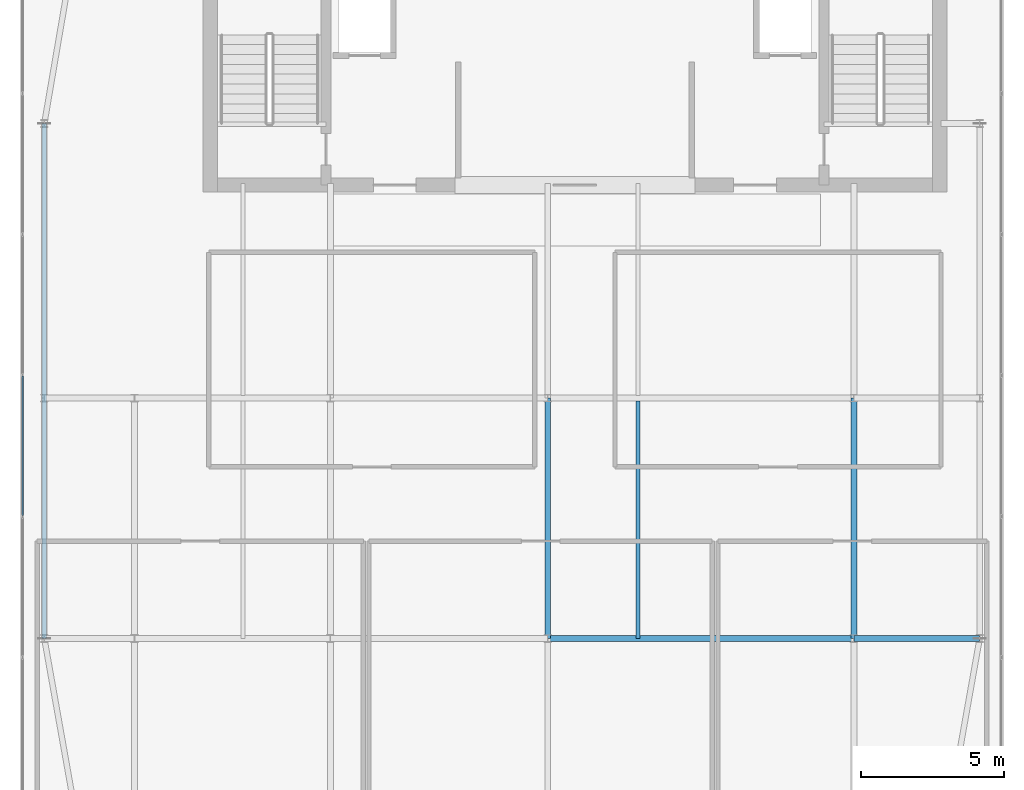
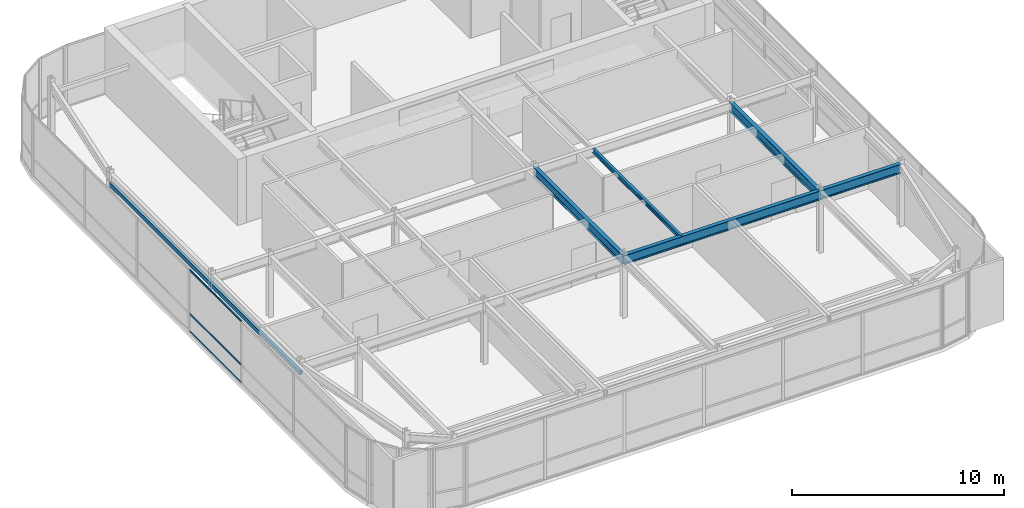
# One storey, part 15 of 36: 5 beams, 4 members, 1 element without a shape of its own.
"""IFC4 building model written with IfcOpenShell, lengths in metres."""

from ifc_helpers import new_model, si_unit, direction, frame, origin, origin_2d, place, context, subcontext, project, spatial, hollow_rectangle, i_section, extrude, source, transform, mapped, material, layer, layer_set, material_profile, profile_set, type_object, type_shapes, element, aggregate, save


model = new_model("IFC4")

# Units and contexts
model_context = context("Model", 3, precision=1e-05, world=origin(), true_north=direction((0.0, 1.0)))
body_context = subcontext(model_context, "Body", "Model", "MODEL_VIEW")
ifc_project = project(units=[si_unit("LENGTHUNIT", "METRE"), si_unit("AREAUNIT", "SQUARE_METRE"), si_unit("VOLUMEUNIT", "CUBIC_METRE"), si_unit("PLANEANGLEUNIT", "RADIAN"), si_unit("MASSUNIT", "GRAM", prefix="KILO")], contexts=[model_context])

# Site, building, storey
site_placement = place(None, origin())
site = spatial("IfcSite", under=ifc_project, at=site_placement, CompositionType="ELEMENT")
building_placement = place(site_placement, origin())
building = spatial("IfcBuilding", under=site, at=building_placement, Name="Tolvann Quenvar Hotel", CompositionType="ELEMENT")
storey_placement = place(building_placement, frame((0.0, 0.0, 302.35009765625)))
storey = spatial("IfcBuildingStorey", under=building, at=storey_placement, Name="L80", CompositionType="ELEMENT", Elevation=302.35009765625)

# Beams
ifc_material_1 = material(Name="Steel Grade 350", Category="steel")
ifc_material_profile_1 = material_profile(ifc_material_1, i_section(OverallWidth=0.208984375, OverallDepth=0.532958984375, WebThickness=0.01025390625, FlangeThickness=0.015625, FilletRadius=0.013916015625, at=origin_2d()), Name="530UB92")
ifc_profile_set_1 = profile_set([ifc_material_profile_1], Name="Steel Grade 350")
beam_type_1 = type_object("IfcBeamType", Name="BM_GIRD_530UB92", PredefinedType="BEAM", material=ifc_profile_set_1)
shared_shape_1 = source(origin(), body_context, "Body", "SweptSolid", [
    extrude(i_section(OverallWidth=0.208984375, OverallDepth=0.532958984375, WebThickness=0.01025390625, FlangeThickness=0.015625, FilletRadius=0.013916015625, at=origin_2d()), origin(), (0.0, 0.0, 1.0), 8.39990234375),
])
for number, where, z_axis, x_axis, name in (
    (1, (22.050048828125, 16.0, 3.3134765625), (0.0, 1.0, 0.0), (-1.0, 0.0, 0.0), "BM-L80-NS-E4-E5"),
    (2, (32.75, 16.0, 3.3134765625), (0.0, 1.0, 0.0), (-1.0, 0.0, 0.0), "BM-L80-NS-FP4-FP5"),
):
    element("IfcBeam", number, at=place(storey_placement, frame(where, z_axis=z_axis, x_axis=x_axis)), inside=storey, type_object=beam_type_1, Name=name, PredefinedType="BEAM", context=body_context, shape_type="MappedRepresentation", body=[
        mapped(shared_shape_1, transform((0.0, 0.0, 0.0), x_axis=(1.0, 0.0, 0.0), y_axis=(0.0, 1.0, 0.0), z_axis=(0.0, 0.0, 1.0), scale=1.0)),
    ])
shared_shape_2 = source(origin(), body_context, "Body", "SweptSolid", [
    extrude(i_section(OverallWidth=0.208984375, OverallDepth=0.532958984375, WebThickness=0.01025390625, FlangeThickness=0.015625, FilletRadius=0.013916015625, at=origin_2d()), origin(), (0.0, 0.0, 1.0), 10.699951171875),
])
beam_1_placement = place(storey_placement, frame((22.050048828125, 16.0, 3.3134765625), z_axis=(1.0, 0.0, 0.0), x_axis=(0.0, 1.0, 0.0)))
element("IfcBeam", 3, at=beam_1_placement, inside=storey, type_object=beam_type_1, Name="BM-L80-EW-4-E4-FP4", PredefinedType="BEAM", context=body_context, shape_type="MappedRepresentation", body=[
    mapped(shared_shape_2, transform((0.0, 0.0, 0.0), x_axis=(1.0, 0.0, 0.0), y_axis=(0.0, 1.0, 0.0), z_axis=(0.0, 0.0, 1.0), scale=1.0)),
])

# Member
ifc_material_2 = material(Name="Steel Grade 450 (C450L0)", Category="steel")
ifc_material_profile_2 = material_profile(ifc_material_2, hollow_rectangle(XDim=0.14990234375, YDim=0.25, WallThickness=0.009033203125, at=origin_2d()), Name="250x150x9RHS")
ifc_profile_set_2 = profile_set([ifc_material_profile_2], Name="Steel Grade 450 (C450L0)")
member_type_1 = type_object("IfcMemberType", Name="MEM_CROWN_250RHS", PredefinedType="USERDEFINED", material=ifc_profile_set_2)
shared_shape_3 = source(origin(), body_context, "Body", "SweptSolid", [
    extrude(hollow_rectangle(XDim=0.14990234375, YDim=0.25, WallThickness=0.009033203125, at=origin_2d()), origin(), (0.0, 0.0, 1.0), 18.0),
])
type_shapes(member_type_1, [shared_shape_3])
member_1_placement = place(storey_placement, frame((4.449951171875, 16.0, 2.929931640625), z_axis=(0.0, 1.0, 0.0), x_axis=(-1.0, 0.0, 0.0)))
element("IfcMember", 4, at=member_1_placement, inside=storey, type_object=member_type_1, Name="Crown Frame Ring Member (L80-2)", ObjectType="CROWN FRAME", PredefinedType="USERDEFINED", context=body_context, shape_type="MappedRepresentation", body=[
    mapped(shared_shape_3, transform((0.0, 0.0, 0.0), x_axis=(1.0, 0.0, 0.0), y_axis=(0.0, 1.0, 0.0), z_axis=(0.0, 0.0, 1.0), scale=1.0)),
])

# Beams
shared_shape_4 = source(origin(), body_context, "Body", "SweptSolid", [
    extrude(i_section(OverallWidth=0.208984375, OverallDepth=0.532958984375, WebThickness=0.01025390625, FlangeThickness=0.015625, FilletRadius=0.013916015625, at=origin_2d()), origin(), (0.0, 0.0, 1.0), 4.39990234375),
])
type_shapes(beam_type_1, [shared_shape_1, shared_shape_2, shared_shape_4])
beam_2_placement = place(storey_placement, frame((32.75, 16.0, 3.3134765625), z_axis=(1.0, 0.0, 0.0), x_axis=(0.0, 1.0, 0.0)))
element("IfcBeam", 5, at=beam_2_placement, inside=storey, type_object=beam_type_1, Name="BM-L80-EW-4-FP4-G4", PredefinedType="BEAM", context=body_context, shape_type="MappedRepresentation", body=[
    mapped(shared_shape_4, transform((0.0, 0.0, 0.0), x_axis=(1.0, 0.0, 0.0), y_axis=(0.0, 1.0, 0.0), z_axis=(0.0, 0.0, 1.0), scale=1.0)),
])
ifc_material_profile_3 = material_profile(ifc_material_1, i_section(OverallWidth=0.14599609375, OverallDepth=0.256103515625, WebThickness=0.00634765625, FlangeThickness=0.010986328125, FilletRadius=0.0087890625, at=origin_2d()), Name="250UB37")
ifc_profile_set_3 = profile_set([ifc_material_profile_3], Name="Steel Grade 350")
beam_type_2 = type_object("IfcBeamType", Name="BM_JOIST_250UB37", PredefinedType="JOIST", material=ifc_profile_set_3)
shared_shape_5 = source(origin(), body_context, "Body", "SweptSolid", [
    extrude(i_section(OverallWidth=0.14599609375, OverallDepth=0.256103515625, WebThickness=0.00634765625, FlangeThickness=0.010986328125, FilletRadius=0.0087890625, at=origin_2d()), origin(), (0.0, 0.0, 1.0), 8.301513671875),
])
type_shapes(beam_type_2, [shared_shape_5])
beam_3_placement = place(storey_placement, frame((25.199951171875, 16.0, 3.451904296875), z_axis=(0.0, 1.0, 0.0), x_axis=(-1.0, 0.0, 0.0)))
element("IfcBeam", 6, at=beam_3_placement, inside=storey, type_object=beam_type_2, Name="BJ-L80-252-160", PredefinedType="JOIST", context=body_context, shape_type="MappedRepresentation", body=[
    mapped(shared_shape_5, transform((0.0, 0.0, 0.0), x_axis=(1.0, 0.0, 0.0), y_axis=(0.0, 1.0, 0.0), z_axis=(0.0, 0.0, 1.0), scale=1.0)),
])

# Curtain wall, members
ifc_material_3 = material(Name="Thermally broken anodised architectural aluminium 6063-T6 and laminated low-E glass", Category="aluminium")
ifc_layer = layer(ifc_material_3, 0.179931640625)
ifc_layer_set = layer_set([ifc_layer], Name="Thermally broken anodised architectural aluminium 6063-T6 and laminated low-E glass")
curtain_wall_type = type_object("IfcCurtainWallType", Name="CW_SYS_LANT_06", PredefinedType="USERDEFINED", material=ifc_layer_set)
curtain_wall_placement = place(storey_placement, origin())
curtain_wall = element("IfcCurtainWall", 7, at=curtain_wall_placement, inside=storey, type_object=curtain_wall_type, Name="Curtain Wall CW-LANT-06 (CWR-L80-E19)", ObjectType="UNITISED CURTAIN WALL", PredefinedType="USERDEFINED")
ifc_material_4 = material(Name="Anodised architectural aluminium 6063-T6 framing", Category="aluminium")
ifc_material_profile_4 = material_profile(ifc_material_4, hollow_rectangle(XDim=0.050048828125, YDim=0.10009765625, WallThickness=0.0029296875, at=origin_2d()), Name="100x50x3RHS")
ifc_profile_set_4 = profile_set([ifc_material_profile_4], Name="Anodised architectural aluminium 6063-T6 framing")
member_type_2 = type_object("IfcMemberType", Name="CW_TRAN_100x50", PredefinedType="USERDEFINED", material=ifc_profile_set_4)
shared_shape_6 = source(origin(), body_context, "Body", "SweptSolid", [
    extrude(hollow_rectangle(XDim=0.050048828125, YDim=0.10009765625, WallThickness=0.0029296875, at=origin_2d()), origin(), (0.0, 0.0, 1.0), 4.862548828125),
])
type_shapes(member_type_2, [shared_shape_6])
member_2_placement = place(storey_placement, frame((3.68994140625, 25.16748046875, 0.02490234375), z_axis=(0.0, -1.0, 0.0), x_axis=(1.0, 0.0, 0.0)))
member_2 = element("IfcMember", 8, at=member_2_placement, type_object=member_type_2, Name="CW-LANT-06 transom 4.1", ObjectType="TRANSOM", PredefinedType="USERDEFINED", context=body_context, shape_type="MappedRepresentation", body=[
    mapped(shared_shape_6, transform((0.0, 0.0, 0.0), x_axis=(1.0, 0.0, 0.0), y_axis=(0.0, 1.0, 0.0), z_axis=(0.0, 0.0, 1.0), scale=1.0)),
])
member_3_placement = place(storey_placement, frame((3.68994140625, 25.16748046875, 1.0498046875), z_axis=(0.0, -1.0, 0.0), x_axis=(1.0, 0.0, 0.0)))
member_3 = element("IfcMember", 9, at=member_3_placement, type_object=member_type_2, Name="CW-LANT-06 transom 4.2", ObjectType="TRANSOM", PredefinedType="USERDEFINED", context=body_context, shape_type="MappedRepresentation", body=[
    mapped(shared_shape_6, transform((0.0, 0.0, 0.0), x_axis=(1.0, 0.0, 0.0), y_axis=(0.0, 1.0, 0.0), z_axis=(0.0, 0.0, 1.0), scale=1.0)),
])
member_4_placement = place(storey_placement, frame((3.68994140625, 25.16748046875, 3.554931640625), z_axis=(0.0, -1.0, 0.0), x_axis=(1.0, 0.0, 0.0)))
member_4 = element("IfcMember", 10, at=member_4_placement, type_object=member_type_2, Name="CW-LANT-06 transom 4.3", ObjectType="TRANSOM", PredefinedType="USERDEFINED", context=body_context, shape_type="MappedRepresentation", body=[
    mapped(shared_shape_6, transform((0.0, 0.0, 0.0), x_axis=(1.0, 0.0, 0.0), y_axis=(0.0, 1.0, 0.0), z_axis=(0.0, 0.0, 1.0), scale=1.0)),
])
aggregate(curtain_wall, [member_2, member_3, member_4])

save(model, "model.ifc")
